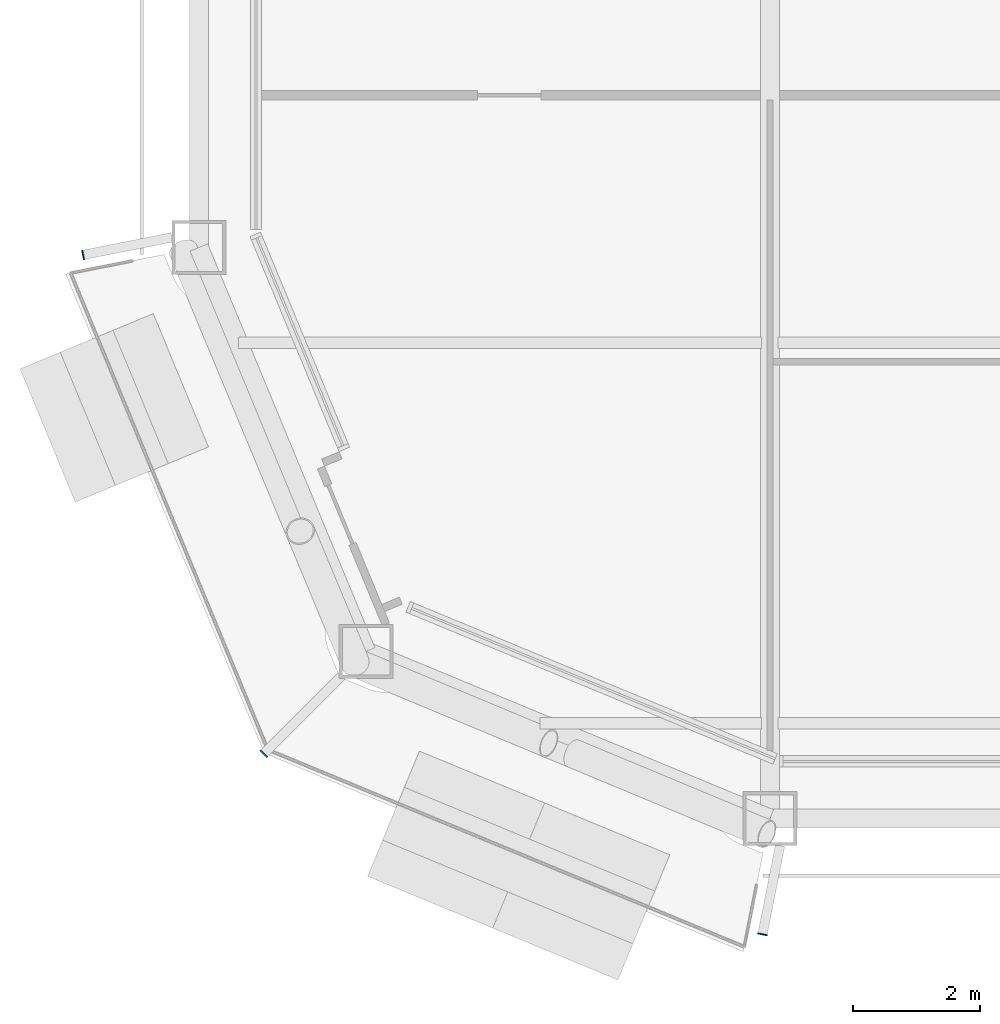
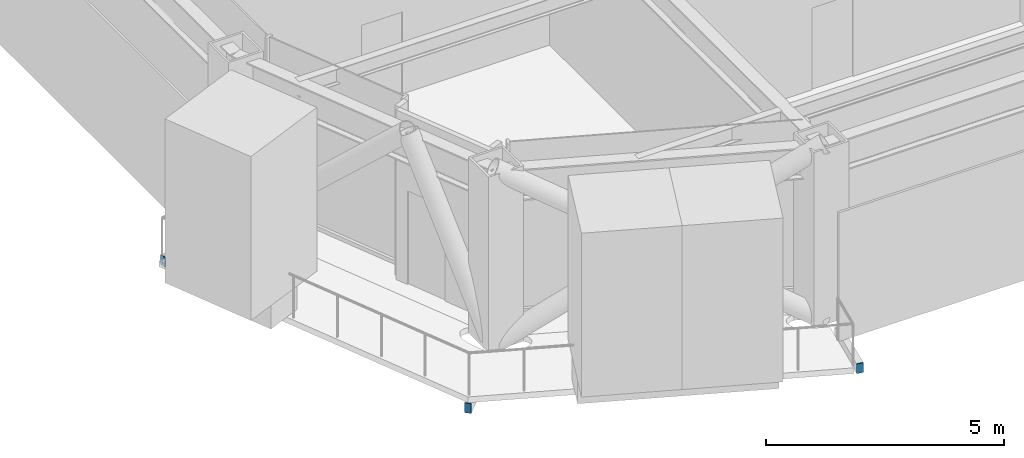
# One storey, part 17 of 23: 3 discrete accessories.
"""IFC4 building model written with IfcOpenShell, lengths in metres."""

from ifc_helpers import new_model, si_unit, direction, frame, origin, origin_2d, place, context, subcontext, project, spatial, rectangle, extrude, material, layer, layer_set, type_object, element, save


model = new_model("IFC4")

# Units and contexts
model_context = context("Model", 3, precision=1e-05, world=origin(), true_north=direction((0.0, 1.0)))
body_context = subcontext(model_context, "Body", "Model", "MODEL_VIEW")
ifc_project = project(units=[si_unit("LENGTHUNIT", "METRE"), si_unit("AREAUNIT", "SQUARE_METRE"), si_unit("VOLUMEUNIT", "CUBIC_METRE"), si_unit("PLANEANGLEUNIT", "RADIAN"), si_unit("MASSUNIT", "GRAM", prefix="KILO")], contexts=[model_context])

# Site, building, storey
site_placement = place(None, origin())
site = spatial("IfcSite", under=ifc_project, at=site_placement, CompositionType="ELEMENT")
building_placement = place(site_placement, origin())
building = spatial("IfcBuilding", under=site, at=building_placement, Name="Siwar Civic Tower", CompositionType="ELEMENT")
storey_placement = place(building_placement, frame((0.0, 0.0, 197.199951171875)))
storey = spatial("IfcBuildingStorey", under=building, at=storey_placement, Name="L42", CompositionType="ELEMENT", Elevation=197.199951171875)

# Discrete accessories
ifc_material = material(Name="Steel S355", Category="steel")
ifc_layer = layer(ifc_material, 0.02001953125)
ifc_layer_set = layer_set([ifc_layer], Name="Steel S355")
discrete_accessory_type = type_object("IfcDiscreteAccessoryType", Name="STR-END-CAP", PredefinedType="USERDEFINED", material=ifc_layer_set)
for number, where, z_axis, x_axis, name in (
    (1, (-28.8251953125, -18.118408203125, -0.39990234375), (0.0, 0.0, 1.0), (-0.980785280444, -0.195090321811, 0.0), "End cap plate Balcony cantilever beam SW 1"),
    (2, (-25.978271484375, -25.978271484375, -0.39990234375), (0.0, 0.0, 1.0), (-0.707106781187, -0.707106781187, 0.0), "End cap plate Balcony cantilever beam SW 2"),
    (3, (-18.118408203125, -28.8251953125, -0.39990234375), (0.0, 0.0, 1.0), (-0.195090321811, -0.980785280444, 0.0), "End cap plate Balcony cantilever beam SW 3"),
):
    element("IfcDiscreteAccessory", number, at=place(storey_placement, frame(where, z_axis=z_axis, x_axis=x_axis)), inside=storey, type_object=discrete_accessory_type, Name=name, ObjectType="END CAP PLATE", PredefinedType="USERDEFINED", context=body_context, shape_type="SweptSolid", body=[
        extrude(rectangle(XDim=0.02001953125, YDim=0.14990234375, at=origin_2d()), origin(), (0.0, 0.0, 1.0), 0.25),
    ])

save(model, "model.ifc")
